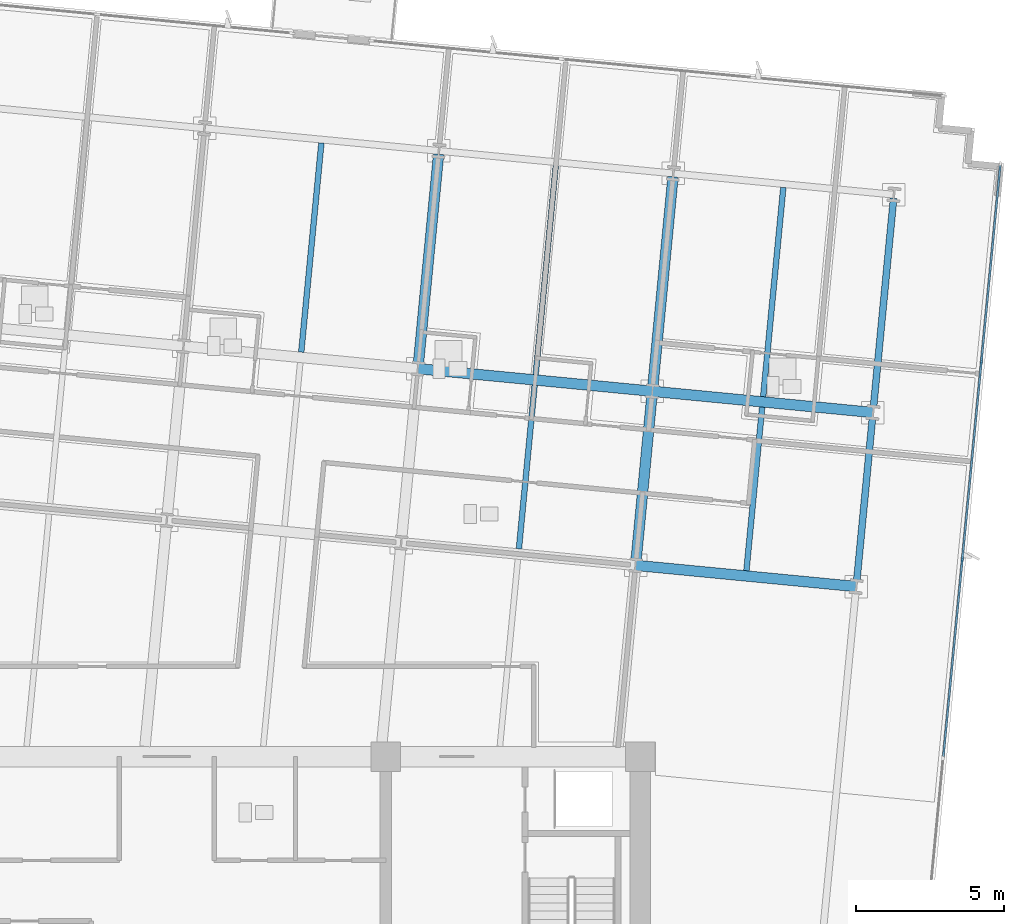
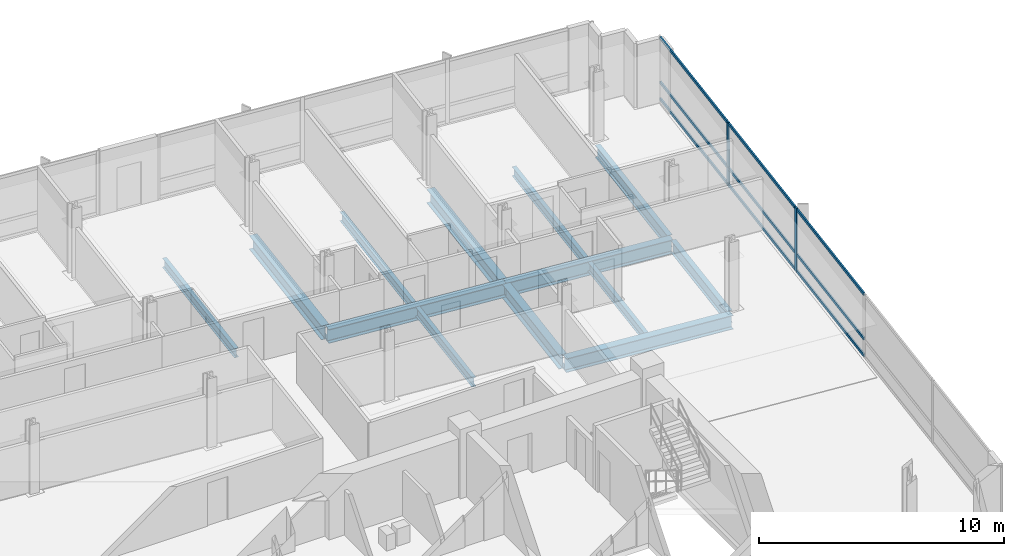
# One storey, part 6 of 17: 13 beams, 11 members, 1 element without a shape of its own.
"""IFC4 building model written with IfcOpenShell, lengths in metres."""

import ifcopenshell
import ifcopenshell.guid

model = None  # the IFC model being written
_history = None  # IfcOwnerHistory: only IFC2X3 demands one
_inside = {}  # id of a spatial element -> (the spatial element, [elements in it])
_under = {}  # id of a project, library or spatial element -> (it, [spatial elements below it])
_declared = {}  # id of a project -> (the project, [libraries it declares])
_typed = {}  # id of a type object -> (the type object, [elements of that type])
_made_of = {}  # id of a material, layer set ... -> (it, [elements and type objects made of it])


def new_model(schema):
    """Start an empty IFC model of exactly this schema.

    Asked for "IFC4X3", IfcOpenShell would pick the latest addendum, in which some entities
    have other attributes; the version numbers below select the first issue.
    IFC2X3 requires an IfcOwnerHistory on every rooted entity: one is made here for all.
    """
    global model, _history
    if schema == "IFC4X3":
        model = ifcopenshell.file(schema_version=(4, 3, 0, 0))
    else:
        model = ifcopenshell.file(schema=schema)
    _inside.clear()
    _under.clear()
    _declared.clear()
    _typed.clear()
    _made_of.clear()
    _history = None
    if model.schema == "IFC2X3":
        org = make("IfcOrganization", Name="unknown")
        user = make(
            "IfcPersonAndOrganization",
            ThePerson=make("IfcPerson", FamilyName="unknown"),
            TheOrganization=org,
        )
        app = make(
            "IfcApplication",
            ApplicationDeveloper=org,
            Version="unknown",
            ApplicationFullName="unknown",
            ApplicationIdentifier="unknown",
        )
        _history = make(
            "IfcOwnerHistory",
            OwningUser=user,
            OwningApplication=app,
            ChangeAction="ADDED",
            CreationDate=0,
        )
    return model


def make(cls, **values):
    """One entity of the class cls with the attributes given. An attribute that is None is left unset."""
    return model.create_entity(
        cls, **{name: value for name, value in values.items() if value is not None}
    )


def rooted(cls, **values):
    """An entity with a GlobalId (a new one), such as an element, a storey or a relation."""
    return make(cls, GlobalId=ifcopenshell.guid.new(), OwnerHistory=_history, **values)


def si_unit(unit_type, name, prefix=None):
    """IfcSIUnit, for example si_unit("LENGTHUNIT", "METRE", prefix="MILLI")."""
    return make("IfcSIUnit", UnitType=unit_type, Prefix=prefix, Name=name)


def assignment(units):
    """IfcUnitAssignment: the units of a project."""
    return None if units is None else make("IfcUnitAssignment", Units=units)


def point(xyz):
    """IfcCartesianPoint."""
    return None if xyz is None else make("IfcCartesianPoint", Coordinates=xyz)


def direction(xyz):
    """IfcDirection."""
    return None if xyz is None else make("IfcDirection", DirectionRatios=xyz)


def frame(location, z_axis=None, x_axis=None):
    """IfcAxis2Placement3D, a coordinate frame: its origin and axes. An axis left out is left unset."""
    return make(
        "IfcAxis2Placement3D",
        Location=point(location),
        Axis=direction(z_axis),
        RefDirection=direction(x_axis),
    )


def frame_2d(location, x_axis=None):
    """IfcAxis2Placement2D, a coordinate frame in the plane: its origin and x axis."""
    return make(
        "IfcAxis2Placement2D", Location=point(location), RefDirection=direction(x_axis)
    )


def origin():
    """The frame at (0, 0, 0) with its axes left unset."""
    return frame((0.0, 0.0, 0.0))


def origin_2d():
    """The frame at (0, 0) in the plane with its x axis left unset."""
    return frame_2d((0.0, 0.0))


def place(relative_to, where):
    """IfcLocalPlacement: puts the frame where relative to a parent placement (None: the world)."""
    return make(
        "IfcLocalPlacement", PlacementRelTo=relative_to, RelativePlacement=where
    )


def context(
    kind, dimensions, precision=None, world=None, true_north=None, identifier=None
):
    """IfcGeometricRepresentationContext, for example the 3D "Model" context."""
    return make(
        "IfcGeometricRepresentationContext",
        ContextIdentifier=identifier,
        ContextType=kind,
        CoordinateSpaceDimension=dimensions,
        Precision=precision,
        WorldCoordinateSystem=world,
        TrueNorth=true_north,
    )


def subcontext(parent, identifier, kind, view, scale=None):
    """IfcGeometricRepresentationSubContext, for example "Body" below "Model"."""
    return make(
        "IfcGeometricRepresentationSubContext",
        ContextIdentifier=identifier,
        ContextType=kind,
        ParentContext=parent,
        TargetScale=scale,
        TargetView=view,
    )


def project(units=None, contexts=None):
    """IfcProject with its units and contexts."""
    return rooted(
        "IfcProject",
        Name="project",
        RepresentationContexts=contexts,
        UnitsInContext=assignment(units),
    )


def spatial(cls, under=None, at=None, **own):
    """A site, building, storey or space (cls), placed at a placement, below another one or the project."""
    s = rooted(cls, ObjectPlacement=at, **own)
    if under is not None:
        _under.setdefault(under.id(), (under, []))[1].append(s)
    return s


def profile(cls, at=None, kind="AREA", **sizes):
    """A parametric profile (cls). Its sizes go by their IFC names, for example OverallWidth=200.0."""
    return make(cls, ProfileType=kind, Position=at, **sizes)


def rectangle(**sizes):
    """IfcRectangleProfileDef."""
    return profile("IfcRectangleProfileDef", **sizes)


def i_section(**sizes):
    """IfcIShapeProfileDef."""
    return profile("IfcIShapeProfileDef", **sizes)


def extrude(swept, where, along, depth):
    """IfcExtrudedAreaSolid: the profile swept, set in the frame where, extruded along a direction by depth."""
    return make(
        "IfcExtrudedAreaSolid",
        SweptArea=swept,
        Position=where,
        ExtrudedDirection=direction(along),
        Depth=depth,
    )


def shape(context_of_items, identifier, shape_type, items):
    """IfcShapeRepresentation: the items that make up one representation, for example the "Body"."""
    return make(
        "IfcShapeRepresentation",
        ContextOfItems=context_of_items,
        RepresentationIdentifier=identifier,
        RepresentationType=shape_type,
        Items=items,
    )


def material(Name=None, Category=None):
    """IfcMaterial."""
    return make("IfcMaterial", Name=Name, Category=Category)


def material_profile(
    of_material, cross_section, Name=None, Category=None, Priority=None
):
    """IfcMaterialProfile: a cross section and its material."""
    return make(
        "IfcMaterialProfile",
        Name=Name,
        Material=of_material,
        Profile=cross_section,
        Priority=Priority,
        Category=Category,
    )


def profile_set(profiles, Name=None, composite=None):
    """IfcMaterialProfileSet."""
    return make(
        "IfcMaterialProfileSet",
        Name=Name,
        MaterialProfiles=profiles,
        CompositeProfile=composite,
    )


def made_of(thing, what):
    """Note that an element or type object is made of a material, layer set ...; save() writes the relation."""
    if what is not None:
        _made_of.setdefault(what.id(), (what, []))[1].append(thing)
    return thing


def type_object(cls, material=None, **own):
    """A type object (cls), such as IfcWallType, which elements share."""
    return made_of(rooted(cls, **own), material)


def element(
    cls,
    number,
    at=None,
    inside=None,
    cuts=None,
    type_object=None,
    material=None,
    context=None,
    identifier="Body",
    shape_type=None,
    held_by="IfcProductDefinitionShape",
    body=None,
    shapes=None,
    **own,
):
    """One element of the class cls, such as IfcWall. Its Tag is "e" and its number.

    at: its placement. inside: the storey or other place that contains it. cuts: it is an
    opening in that element (IfcRelVoidsElement). A single representation is given by context,
    identifier, shape_type and body (its items); several are given by shapes. held_by: the class
    of the entity that holds the representations. save() writes the other relations.
    """
    e = rooted(cls, Tag="e%d" % number, ObjectPlacement=at, **own)
    if body is not None:
        shapes = [shape(context, identifier, shape_type, body)]
    if shapes is not None:
        e.Representation = make(held_by, Representations=shapes)
    if inside is not None:
        _inside.setdefault(inside.id(), (inside, []))[1].append(e)
    if cuts is not None:
        rooted(
            "IfcRelVoidsElement", RelatingBuildingElement=cuts, RelatedOpeningElement=e
        )
    if type_object is not None:
        _typed.setdefault(type_object.id(), (type_object, []))[1].append(e)
    return made_of(e, material)


def aggregate(whole, parts):
    """IfcRelAggregates: a whole, such as a stair, and the parts it consists of."""
    return rooted("IfcRelAggregates", RelatingObject=whole, RelatedObjects=parts)


def save(model, path):
    """Write the relations noted so far, then the file.

    IfcRelAggregates (storeys below a building ...), IfcRelContainedInSpatialStructure (elements
    in a storey), IfcRelDefinesByType, IfcRelAssociatesMaterial and IfcRelDeclares: one each for
    every whole, place, type object, material and project.
    """
    for whole, parts in _under.values():
        aggregate(whole, parts)
    for where, things in _inside.values():
        rooted(
            "IfcRelContainedInSpatialStructure",
            RelatedElements=things,
            RelatingStructure=where,
        )
    for kind, things in _typed.values():
        rooted("IfcRelDefinesByType", RelatedObjects=things, RelatingType=kind)
    for what, things in _made_of.values():
        rooted("IfcRelAssociatesMaterial", RelatedObjects=things, RelatingMaterial=what)
    for by, libraries in _declared.values():
        rooted("IfcRelDeclares", RelatingContext=by, RelatedDefinitions=libraries)
    model.write(path)


model = new_model("IFC4")

# Units and contexts
model_context = context("Model", 3, precision=1e-05, world=origin(), true_north=direction((0.0, 1.0)))
body_context = subcontext(model_context, "Body", "Model", "MODEL_VIEW")
ifc_project = project(units=[si_unit("LENGTHUNIT", "METRE"), si_unit("AREAUNIT", "SQUARE_METRE"), si_unit("VOLUMEUNIT", "CUBIC_METRE"), si_unit("PLANEANGLEUNIT", "RADIAN"), si_unit("MASSUNIT", "GRAM", prefix="KILO")], contexts=[model_context])

# Site, building, storey
site_placement = place(None, origin())
site = spatial("IfcSite", under=ifc_project, at=site_placement, CompositionType="ELEMENT")
building_placement = place(site_placement, origin())
building = spatial("IfcBuilding", under=site, at=building_placement, Name="Solmavex Isthmus Hotel", CompositionType="ELEMENT")
storey_placement = place(building_placement, frame((0.0, 0.0, 142.800048828125)))
storey = spatial("IfcBuildingStorey", under=building, at=storey_placement, Name="L38", CompositionType="ELEMENT", Elevation=142.800048828125)

# Beams
ifc_material_1 = material(Name="Steel ASTM A992 Grade 50", Category="steel")
ifc_material_profile_1 = material_profile(ifc_material_1, i_section(OverallWidth=0.354736328125, OverallDepth=0.695556640625, WebThickness=0.015380859375, FlangeThickness=0.02490234375, FilletRadius=0.017822265625, at=origin_2d()), Name="W27X146")
ifc_profile_set_1 = profile_set([ifc_material_profile_1], Name="Steel ASTM A992 Grade 50")
beam_type_1 = type_object("IfcBeamType", Name="BM-BG-W27X146", PredefinedType="BEAM", material=ifc_profile_set_1)
beam_1_placement = place(storey_placement, frame((15.840087890625, 3.96533203125, -0.60791015625), z_axis=(0.995394980007, -0.095858404835, 0.0), x_axis=(0.095858404835, 0.995394980007, 0.0)))
element("IfcBeam", 1, at=beam_1_placement, inside=storey, type_object=beam_type_1, Name="Floor Girder L38-UG08", PredefinedType="BEAM", context=body_context, shape_type="SweptSolid", body=[
    extrude(i_section(OverallWidth=0.354736328125, OverallDepth=0.695556640625, WebThickness=0.015380859375, FlangeThickness=0.02490234375, FilletRadius=0.017822265625, at=origin_2d()), origin(), (0.0, 0.0, 1.0), 7.48779296875),
])
beam_2_placement = place(storey_placement, frame((8.48681640625, 10.608642578125, -0.60791015625), z_axis=(0.995394512348, -0.095863260885, 0.0), x_axis=(0.095863260885, 0.995394512348, 0.0)))
element("IfcBeam", 2, at=beam_2_placement, inside=storey, type_object=beam_type_1, Name="Floor Girder L38-UG13", PredefinedType="BEAM", context=body_context, shape_type="SweptSolid", body=[
    extrude(i_section(OverallWidth=0.354736328125, OverallDepth=0.695556640625, WebThickness=0.015380859375, FlangeThickness=0.02490234375, FilletRadius=0.017822265625, at=origin_2d()), origin(), (0.0, 0.0, 1.0), 7.9560546875),
])
beam_3_placement = place(storey_placement, frame((16.40625, 9.845947265625, -0.60791015625), z_axis=(0.995398389938, -0.095822989454, 0.0), x_axis=(0.095822989454, 0.995398389938, 0.0)))
element("IfcBeam", 3, at=beam_3_placement, inside=storey, type_object=beam_type_1, Name="Floor Girder L38-UG14", PredefinedType="BEAM", context=body_context, shape_type="SweptSolid", body=[
    extrude(i_section(OverallWidth=0.354736328125, OverallDepth=0.695556640625, WebThickness=0.015380859375, FlangeThickness=0.02490234375, FilletRadius=0.017822265625, at=origin_2d()), origin(), (0.0, 0.0, 1.0), 7.488037109375),
])
beam_4_placement = place(storey_placement, frame((8.50390625, 10.78515625, -0.60791015625), z_axis=(0.095842805175, 0.99539648216, 0.0), x_axis=(-0.99539648216, 0.095842805175, 0.0)))
element("IfcBeam", 4, at=beam_4_placement, inside=storey, type_object=beam_type_1, Name="Floor Beam L38-VG35", PredefinedType="BEAM", context=body_context, shape_type="SweptSolid", body=[
    extrude(i_section(OverallWidth=0.354736328125, OverallDepth=0.695556640625, WebThickness=0.015380859375, FlangeThickness=0.02490234375, FilletRadius=0.017822265625, at=origin_2d()), origin(), (0.0, 0.0, 1.0), 7.099365234375),
])
beam_5_placement = place(storey_placement, frame((15.85693359375, 4.141845703125, -0.60791015625), z_axis=(0.095842252862, 0.99539653534, 0.0), x_axis=(-0.99539653534, 0.095842252862, 0.0)))
element("IfcBeam", 5, at=beam_5_placement, inside=storey, type_object=beam_type_1, Name="Floor Beam L38-VG37", PredefinedType="BEAM", context=body_context, shape_type="SweptSolid", body=[
    extrude(i_section(OverallWidth=0.354736328125, OverallDepth=0.695556640625, WebThickness=0.015380859375, FlangeThickness=0.02490234375, FilletRadius=0.017822265625, at=origin_2d()), origin(), (0.0, 0.0, 1.0), 5.55322265625),
])
beam_6_placement = place(storey_placement, frame((16.42333984375, 10.022705078125, -0.60791015625), z_axis=(0.095842805175, 0.99539648216, 0.0), x_axis=(-0.99539648216, 0.095842805175, 0.0)))
element("IfcBeam", 6, at=beam_6_placement, inside=storey, type_object=beam_type_1, Name="Floor Beam L38-VG38", PredefinedType="BEAM", context=body_context, shape_type="SweptSolid", body=[
    extrude(i_section(OverallWidth=0.354736328125, OverallDepth=0.695556640625, WebThickness=0.015380859375, FlangeThickness=0.02490234375, FilletRadius=0.017822265625, at=origin_2d()), origin(), (0.0, 0.0, 1.0), 7.099365234375),
])
ifc_material_profile_2 = material_profile(ifc_material_1, i_section(OverallWidth=0.1904296875, OverallDepth=0.456787109375, WebThickness=0.009033203125, FlangeThickness=0.014404296875, FilletRadius=0.0126953125, at=origin_2d()), Name="W18X50")
ifc_profile_set_2 = profile_set([ifc_material_profile_2], Name="Steel ASTM A992 Grade 50")
beam_type_2 = type_object("IfcBeamType", Name="BM-BJ-W18X50", PredefinedType="JOIST", material=ifc_profile_set_2)
beam_7_placement = place(storey_placement, frame((4.544189453125, 11.16650390625, -0.488525390625), z_axis=(0.095842805175, 0.99539648216, 0.0), x_axis=(-0.99539648216, 0.095842805175, 0.0)))
element("IfcBeam", 7, at=beam_7_placement, inside=storey, type_object=beam_type_2, Name="Secondary Floor Joist L38-J12", PredefinedType="JOIST", context=body_context, shape_type="SweptSolid", body=[
    extrude(i_section(OverallWidth=0.1904296875, OverallDepth=0.456787109375, WebThickness=0.009033203125, FlangeThickness=0.014404296875, FilletRadius=0.0126953125, at=origin_2d()), origin(), (0.0, 0.0, 1.0), 7.099365234375),
])
beam_8_placement = place(storey_placement, frame((11.8974609375, 4.523193359375, -0.488525390625), z_axis=(0.095842252862, 0.99539653534, 0.0), x_axis=(-0.99539653534, 0.095842252862, 0.0)))
element("IfcBeam", 8, at=beam_8_placement, inside=storey, type_object=beam_type_2, Name="Secondary Floor Joist L38-J14", PredefinedType="JOIST", context=body_context, shape_type="SweptSolid", body=[
    extrude(i_section(OverallWidth=0.1904296875, OverallDepth=0.456787109375, WebThickness=0.009033203125, FlangeThickness=0.014404296875, FilletRadius=0.0126953125, at=origin_2d()), origin(), (0.0, 0.0, 1.0), 5.55322265625),
])
beam_9_placement = place(storey_placement, frame((12.463623046875, 10.40380859375, -0.488525390625), z_axis=(0.095839524498, 0.995396798038, 0.0), x_axis=(-0.995396798038, 0.095839524498, 0.0)))
element("IfcBeam", 9, at=beam_9_placement, inside=storey, type_object=beam_type_2, Name="Secondary Floor Joist L38-J15", PredefinedType="JOIST", context=body_context, shape_type="SweptSolid", body=[
    extrude(i_section(OverallWidth=0.1904296875, OverallDepth=0.456787109375, WebThickness=0.009033203125, FlangeThickness=0.014404296875, FilletRadius=0.0126953125, at=origin_2d()), origin(), (0.0, 0.0, 1.0), 7.099609375),
])
beam_10_placement = place(storey_placement, frame((19.583740234375, 3.782958984375, -0.488525390625), z_axis=(0.095842252862, 0.99539653534, 0.0), x_axis=(-0.99539653534, 0.095842252862, 0.0)))
element("IfcBeam", 10, at=beam_10_placement, inside=storey, type_object=beam_type_2, Name="Secondary Floor Joist L38-J16", PredefinedType="JOIST", context=body_context, shape_type="SweptSolid", body=[
    extrude(i_section(OverallWidth=0.1904296875, OverallDepth=0.456787109375, WebThickness=0.009033203125, FlangeThickness=0.014404296875, FilletRadius=0.0126953125, at=origin_2d()), origin(), (0.0, 0.0, 1.0), 5.55322265625),
])
beam_11_placement = place(storey_placement, frame((20.150146484375, 9.663818359375, -0.488525390625), z_axis=(0.095842805175, 0.99539648216, 0.0), x_axis=(-0.99539648216, 0.095842805175, 0.0)))
element("IfcBeam", 11, at=beam_11_placement, inside=storey, type_object=beam_type_2, Name="Secondary Floor Joist L38-J17", PredefinedType="JOIST", context=body_context, shape_type="SweptSolid", body=[
    extrude(i_section(OverallWidth=0.1904296875, OverallDepth=0.456787109375, WebThickness=0.009033203125, FlangeThickness=0.014404296875, FilletRadius=0.0126953125, at=origin_2d()), origin(), (0.0, 0.0, 1.0), 7.099365234375),
])
ifc_material_profile_3 = material_profile(ifc_material_1, i_section(OverallWidth=0.230224609375, OverallDepth=0.617431640625, WebThickness=0.01318359375, FlangeThickness=0.022216796875, FilletRadius=0.01513671875, at=origin_2d()), Name="W24X94")
ifc_profile_set_3 = profile_set([ifc_material_profile_3], Name="Steel ASTM A992 Grade 50")
beam_type_3 = type_object("IfcBeamType", Name="BM-SP-W24X94", PredefinedType="SPANDREL", material=ifc_profile_set_3)
beam_12_placement = place(storey_placement, frame((23.310546875, 3.424072265625, -0.56884765625), z_axis=(0.095842252862, 0.99539653534, 0.0), x_axis=(-0.99539653534, 0.095842252862, 0.0)))
element("IfcBeam", 12, at=beam_12_placement, inside=storey, type_object=beam_type_3, Name="Floor Beam L38-VG40", PredefinedType="SPANDREL", context=body_context, shape_type="SweptSolid", body=[
    extrude(i_section(OverallWidth=0.230224609375, OverallDepth=0.617431640625, WebThickness=0.01318359375, FlangeThickness=0.022216796875, FilletRadius=0.01513671875, at=origin_2d()), origin(), (0.0, 0.0, 1.0), 5.55322265625),
])
beam_13_placement = place(storey_placement, frame((23.876708984375, 9.304931640625, -0.56884765625), z_axis=(0.09587687835, 0.9953932008, 0.0), x_axis=(-0.9953932008, 0.09587687835, 0.0)))
element("IfcBeam", 13, at=beam_13_placement, inside=storey, type_object=beam_type_3, Name="Floor Beam L38-VG41", PredefinedType="SPANDREL", context=body_context, shape_type="SweptSolid", body=[
    extrude(i_section(OverallWidth=0.230224609375, OverallDepth=0.617431640625, WebThickness=0.01318359375, FlangeThickness=0.022216796875, FilletRadius=0.01513671875, at=origin_2d()), origin(), (0.0, 0.0, 1.0), 7.099365234375),
])

# Curtain wall, members
ifc_material_2 = material(Name="Aluminium alloy 6063-T6", Category="aluminium")
curtain_wall_type = type_object("IfcCurtainWallType", Name="CW-SYS-03", PredefinedType="NOTDEFINED", material=ifc_material_2)
curtain_wall_placement = place(storey_placement, origin())
curtain_wall = element("IfcCurtainWall", 14, at=curtain_wall_placement, inside=storey, type_object=curtain_wall_type, Name="Stick Curtain Wall CWL-L38-E1", PredefinedType="NOTDEFINED")
ifc_material_profile_4 = material_profile(ifc_material_2, rectangle(XDim=0.070068359375, YDim=0.179931640625, at=origin_2d()), Name="CWM-70X180")
ifc_profile_set_4 = profile_set([ifc_material_profile_4], Name="Aluminium alloy 6063-T6")
member_type_1 = type_object("IfcMemberType", Name="CW-SYS-03-MUL", PredefinedType="MULLION", material=ifc_profile_set_4)
member_1_placement = place(storey_placement, frame((26.878173828125, 4.168212890625, 0.0), z_axis=(0.0, 0.0, 1.0), x_axis=(-0.995396190038, 0.09584583902, 0.0)))
member_1 = element("IfcMember", 15, at=member_1_placement, type_object=member_type_1, Name="CW-03 mullion 4", PredefinedType="MULLION", context=body_context, shape_type="SweptSolid", body=[
    extrude(rectangle(XDim=0.070068359375, YDim=0.179931640625, at=origin_2d()), origin(), (0.0, 0.0, 1.0), 3.18994140625),
])
member_2_placement = place(storey_placement, frame((27.5224609375, 10.857177734375, 0.0), z_axis=(0.0, 0.0, 1.0), x_axis=(-0.995396190038, 0.09584583902, 0.0)))
member_2 = element("IfcMember", 16, at=member_2_placement, type_object=member_type_1, Name="CW-03 mullion 5", PredefinedType="MULLION", context=body_context, shape_type="SweptSolid", body=[
    extrude(rectangle(XDim=0.070068359375, YDim=0.179931640625, at=origin_2d()), origin(), (0.0, 0.0, 1.0), 3.18994140625),
])
ifc_material_profile_5 = material_profile(ifc_material_2, rectangle(XDim=0.070068359375, YDim=0.139892578125, at=origin_2d()), Name="CWT-70X140")
ifc_profile_set_5 = profile_set([ifc_material_profile_5], Name="Aluminium alloy 6063-T6")
member_type_2 = type_object("IfcMemberType", Name="CW-SYS-03-TRN", PredefinedType="USERDEFINED", material=ifc_profile_set_5)
member_3_placement = place(storey_placement, frame((26.237548828125, -2.486083984375, 0.070068359375), z_axis=(0.095857212138, 0.995395094865, 0.0), x_axis=(-0.995395094865, 0.095857212138, 0.0)))
member_3 = element("IfcMember", 17, at=member_3_placement, type_object=member_type_2, Name="CW-03 transom 3.1", ObjectType="TRANSOM", PredefinedType="USERDEFINED", context=body_context, shape_type="SweptSolid", body=[
    extrude(rectangle(XDim=0.070068359375, YDim=0.139892578125, at=origin_2d()), origin(), (0.0, 0.0, 1.0), 6.64990234375),
])
member_4_placement = place(storey_placement, frame((26.237548828125, -2.486083984375, 0.89990234375), z_axis=(0.095857212138, 0.995395094865, 0.0), x_axis=(-0.995395094865, 0.095857212138, 0.0)))
member_4 = element("IfcMember", 18, at=member_4_placement, type_object=member_type_2, Name="CW-03 transom 3.2", ObjectType="TRANSOM", PredefinedType="USERDEFINED", context=body_context, shape_type="SweptSolid", body=[
    extrude(rectangle(XDim=0.070068359375, YDim=0.139892578125, at=origin_2d()), origin(), (0.0, 0.0, 1.0), 6.64990234375),
])
member_5_placement = place(storey_placement, frame((26.237548828125, -2.486083984375, 3.119873046875), z_axis=(0.095857212138, 0.995395094865, 0.0), x_axis=(-0.995395094865, 0.095857212138, 0.0)))
member_5 = element("IfcMember", 19, at=member_5_placement, type_object=member_type_2, Name="CW-03 transom 3.3", ObjectType="TRANSOM", PredefinedType="USERDEFINED", context=body_context, shape_type="SweptSolid", body=[
    extrude(rectangle(XDim=0.070068359375, YDim=0.139892578125, at=origin_2d()), origin(), (0.0, 0.0, 1.0), 6.64990234375),
])
member_6_placement = place(storey_placement, frame((26.881591796875, 4.203125, 0.070068359375), z_axis=(0.095857212138, 0.995395094865, 0.0), x_axis=(-0.995395094865, 0.095857212138, 0.0)))
member_6 = element("IfcMember", 20, at=member_6_placement, type_object=member_type_2, Name="CW-03 transom 4.1", ObjectType="TRANSOM", PredefinedType="USERDEFINED", context=body_context, shape_type="SweptSolid", body=[
    extrude(rectangle(XDim=0.070068359375, YDim=0.139892578125, at=origin_2d()), origin(), (0.0, 0.0, 1.0), 6.64990234375),
])
member_7_placement = place(storey_placement, frame((26.881591796875, 4.203125, 0.89990234375), z_axis=(0.095857212138, 0.995395094865, 0.0), x_axis=(-0.995395094865, 0.095857212138, 0.0)))
member_7 = element("IfcMember", 21, at=member_7_placement, type_object=member_type_2, Name="CW-03 transom 4.2", ObjectType="TRANSOM", PredefinedType="USERDEFINED", context=body_context, shape_type="SweptSolid", body=[
    extrude(rectangle(XDim=0.070068359375, YDim=0.139892578125, at=origin_2d()), origin(), (0.0, 0.0, 1.0), 6.64990234375),
])
member_8_placement = place(storey_placement, frame((26.881591796875, 4.203125, 3.119873046875), z_axis=(0.095857212138, 0.995395094865, 0.0), x_axis=(-0.995395094865, 0.095857212138, 0.0)))
member_8 = element("IfcMember", 22, at=member_8_placement, type_object=member_type_2, Name="CW-03 transom 4.3", ObjectType="TRANSOM", PredefinedType="USERDEFINED", context=body_context, shape_type="SweptSolid", body=[
    extrude(rectangle(XDim=0.070068359375, YDim=0.139892578125, at=origin_2d()), origin(), (0.0, 0.0, 1.0), 6.64990234375),
])
member_9_placement = place(storey_placement, frame((27.525634765625, 10.89208984375, 0.070068359375), z_axis=(0.095848837806, 0.995395901283, 0.0), x_axis=(-0.995395901283, 0.095848837806, 0.0)))
member_9 = element("IfcMember", 23, at=member_9_placement, type_object=member_type_2, Name="CW-03 transom 5.1", ObjectType="TRANSOM", PredefinedType="USERDEFINED", context=body_context, shape_type="SweptSolid", body=[
    extrude(rectangle(XDim=0.070068359375, YDim=0.139892578125, at=origin_2d()), origin(), (0.0, 0.0, 1.0), 6.614990234375),
])
member_10_placement = place(storey_placement, frame((27.525634765625, 10.89208984375, 0.89990234375), z_axis=(0.095848837806, 0.995395901283, 0.0), x_axis=(-0.995395901283, 0.095848837806, 0.0)))
member_10 = element("IfcMember", 24, at=member_10_placement, type_object=member_type_2, Name="CW-03 transom 5.2", ObjectType="TRANSOM", PredefinedType="USERDEFINED", context=body_context, shape_type="SweptSolid", body=[
    extrude(rectangle(XDim=0.070068359375, YDim=0.139892578125, at=origin_2d()), origin(), (0.0, 0.0, 1.0), 6.614990234375),
])
member_11_placement = place(storey_placement, frame((27.525634765625, 10.89208984375, 3.119873046875), z_axis=(0.095848837806, 0.995395901283, 0.0), x_axis=(-0.995395901283, 0.095848837806, 0.0)))
member_11 = element("IfcMember", 25, at=member_11_placement, type_object=member_type_2, Name="CW-03 transom 5.3", ObjectType="TRANSOM", PredefinedType="USERDEFINED", context=body_context, shape_type="SweptSolid", body=[
    extrude(rectangle(XDim=0.070068359375, YDim=0.139892578125, at=origin_2d()), origin(), (0.0, 0.0, 1.0), 6.614990234375),
])
aggregate(curtain_wall, [member_1, member_2, member_3, member_4, member_5, member_6, member_7, member_8, member_9, member_10, member_11])

save(model, "model.ifc")
